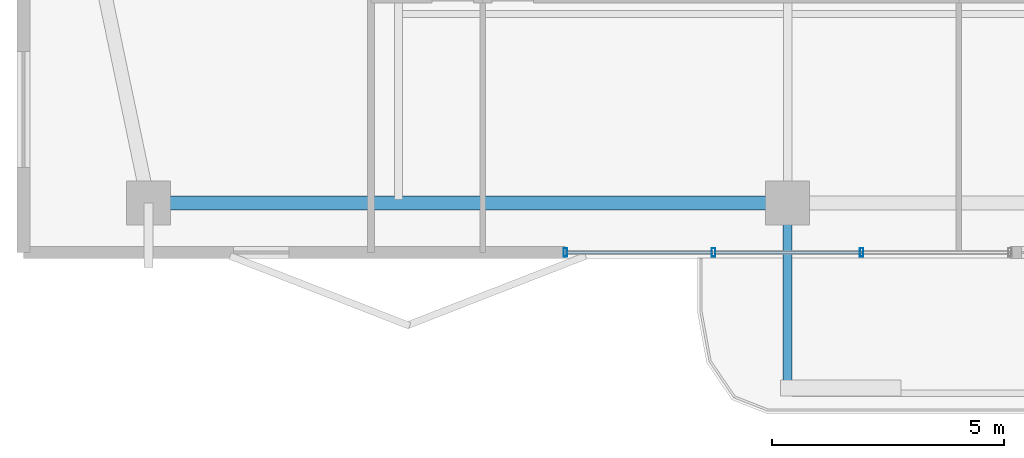
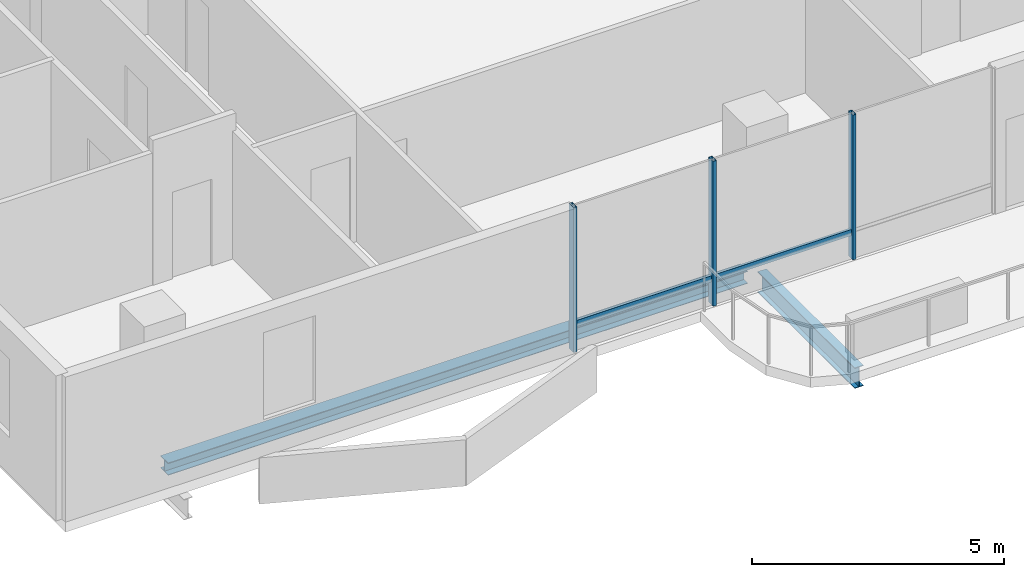
# One storey, part 2 of 18: 5 members, 2 beams, 1 element without a shape of its own.
"""IFC4 building model written with IfcOpenShell, lengths in metres."""

from ifc_helpers import new_model, si_unit, direction, frame, origin, origin_2d, place, context, subcontext, project, spatial, hollow_rectangle, i_section, extrude, material, layer, layer_set, material_profile, profile_set, type_object, element, aggregate, save


model = new_model("IFC4")

# Units and contexts
model_context = context("Model", 3, precision=1e-05, world=origin(), true_north=direction((0.0, 1.0)))
body_context = subcontext(model_context, "Body", "Model", "MODEL_VIEW")
ifc_project = project(units=[si_unit("LENGTHUNIT", "METRE"), si_unit("AREAUNIT", "SQUARE_METRE"), si_unit("VOLUMEUNIT", "CUBIC_METRE"), si_unit("PLANEANGLEUNIT", "RADIAN"), si_unit("MASSUNIT", "GRAM", prefix="KILO")], contexts=[model_context])

# Site, building, storey
site_placement = place(None, origin())
site = spatial("IfcSite", under=ifc_project, at=site_placement, CompositionType="ELEMENT")
building_placement = place(site_placement, origin())
building = spatial("IfcBuilding", under=site, at=building_placement, Name="Belovzor Exchange Tower", CompositionType="ELEMENT")
storey_placement = place(building_placement, frame((0.0, 0.0, 310.5)))
storey = spatial("IfcBuildingStorey", under=building, at=storey_placement, Name="L77", CompositionType="ELEMENT", Elevation=310.5)

# Beam
ifc_material_1 = material(Name="Steel S355", Category="steel")
ifc_material_profile_1 = material_profile(ifc_material_1, i_section(OverallWidth=0.199951171875, OverallDepth=0.5, WebThickness=0.01025390625, FlangeThickness=0.01611328125, at=origin_2d()))
ifc_profile_set_1 = profile_set([ifc_material_profile_1], Name="Steel S355")
beam_type_1 = type_object("IfcBeamType", Name="Planted Balcony Cantilever Beam IPE 500", PredefinedType="BEAM", material=ifc_profile_set_1)
beam_1_placement = place(storey_placement, frame((28.800048828125, 6.93896484375, -0.489990234375), z_axis=(0.0, -1.0, 0.0), x_axis=(1.0, 0.0, 0.0)))
element("IfcBeam", 1, at=beam_1_placement, inside=storey, type_object=beam_type_1, Name="BC-500 Planted Balcony Cantilever Beam IPE 500", PredefinedType="BEAM", context=body_context, shape_type="SweptSolid", body=[
    extrude(i_section(OverallWidth=0.199951171875, OverallDepth=0.5, WebThickness=0.01025390625, FlangeThickness=0.01611328125, at=origin_2d()), origin(), (0.0, 0.0, 1.0), 3.849853515625),
])

# Curtain wall, members
ifc_material_2 = material(Name="Anodised Aluminium Framing", Category="aluminium")
ifc_layer = layer(ifc_material_2, 0.179931640625)
ifc_layer_set = layer_set([ifc_layer], Name="Anodised Aluminium Framing")
curtain_wall_type = type_object("IfcCurtainWallType", Name="Recessed Loggia Low-Iron Triple-Glazed Curtain Wall", PredefinedType="NOTDEFINED", material=ifc_layer_set)
curtain_wall_placement = place(storey_placement, origin())
curtain_wall = element("IfcCurtainWall", 2, at=curtain_wall_placement, inside=storey, type_object=curtain_wall_type, Name="CW3 Recessed Loggia Low-Iron Triple-Glazed Curtain Wall L77", PredefinedType="NOTDEFINED")
ifc_material_3 = material(Name="Steel S355", Category="steel")
ifc_material_profile_2 = material_profile(ifc_material_3, hollow_rectangle(XDim=0.074951171875, YDim=0.179931640625, WallThickness=0.0048828125, at=origin_2d()))
ifc_profile_set_2 = profile_set([ifc_material_profile_2], Name="Steel S355")
member_type_1 = type_object("IfcMemberType", Name="Thermally Broken Curtain Wall Mullion 180x75", PredefinedType="MULLION", material=ifc_profile_set_2)
member_1_placement = place(storey_placement, frame((30.39990234375, 6.1298828125, 0.0), z_axis=(0.0, 0.0, 1.0), x_axis=(-1.0, 0.0, 0.0)))
member_1 = element("IfcMember", 3, at=member_1_placement, type_object=member_type_1, Name="CW-M180 Curtain Wall Mullion 2", PredefinedType="MULLION", context=body_context, shape_type="SweptSolid", body=[
    extrude(hollow_rectangle(XDim=0.074951171875, YDim=0.179931640625, WallThickness=0.0048828125, at=origin_2d()), origin(), (0.0, 0.0, 1.0), 3.510009765625),
])
member_2_placement = place(storey_placement, frame((27.199951171875, 6.1298828125, 0.0), z_axis=(0.0, 0.0, 1.0), x_axis=(-1.0, 0.0, 0.0)))
member_2 = element("IfcMember", 4, at=member_2_placement, type_object=member_type_1, Name="CW-M180 Curtain Wall Mullion 3", PredefinedType="MULLION", context=body_context, shape_type="SweptSolid", body=[
    extrude(hollow_rectangle(XDim=0.074951171875, YDim=0.179931640625, WallThickness=0.0048828125, at=origin_2d()), origin(), (0.0, 0.0, 1.0), 3.510009765625),
])
member_3_placement = place(storey_placement, frame((24.0, 6.1298828125, 0.0), z_axis=(0.0, 0.0, 1.0), x_axis=(-1.0, 0.0, 0.0)))
member_3 = element("IfcMember", 5, at=member_3_placement, type_object=member_type_1, Name="CW-M180 Curtain Wall Mullion 4", PredefinedType="MULLION", context=body_context, shape_type="SweptSolid", body=[
    extrude(hollow_rectangle(XDim=0.074951171875, YDim=0.179931640625, WallThickness=0.0048828125, at=origin_2d()), origin(), (0.0, 0.0, 1.0), 3.510009765625),
])
ifc_material_4 = material(Name="Steel S355", Category="steel")
ifc_material_profile_3 = material_profile(ifc_material_4, hollow_rectangle(XDim=0.06005859375, YDim=0.14990234375, WallThickness=0.00390625, at=origin_2d()))
ifc_profile_set_3 = profile_set([ifc_material_profile_3], Name="Steel S355")
member_type_2 = type_object("IfcMemberType", Name="Thermally Broken Curtain Wall Transom 150x60", PredefinedType="USERDEFINED", material=ifc_profile_set_3)
member_4_placement = place(storey_placement, frame((30.39208984375, 6.1298828125, 0.632080078125), z_axis=(-1.0, 0.0, 0.0), x_axis=(0.0, -1.0, 0.0)))
member_4 = element("IfcMember", 6, at=member_4_placement, type_object=member_type_2, Name="CW-T150 Curtain Wall Transom 2", ObjectType="TRANSOM", PredefinedType="USERDEFINED", context=body_context, shape_type="SweptSolid", body=[
    extrude(hollow_rectangle(XDim=0.06005859375, YDim=0.14990234375, WallThickness=0.00390625, at=origin_2d()), origin(), (0.0, 0.0, 1.0), 3.18408203125),
])
member_5_placement = place(storey_placement, frame((27.19189453125, 6.1298828125, 0.632080078125), z_axis=(-1.0, 0.0, 0.0), x_axis=(0.0, -1.0, 0.0)))
member_5 = element("IfcMember", 7, at=member_5_placement, type_object=member_type_2, Name="CW-T150 Curtain Wall Transom 3", ObjectType="TRANSOM", PredefinedType="USERDEFINED", context=body_context, shape_type="SweptSolid", body=[
    extrude(hollow_rectangle(XDim=0.06005859375, YDim=0.14990234375, WallThickness=0.00390625, at=origin_2d()), origin(), (0.0, 0.0, 1.0), 3.183837890625),
])
aggregate(curtain_wall, [member_1, member_2, member_3, member_4, member_5])

# Beam
ifc_material_5 = material(Name="Steel S355", Category="steel")
ifc_material_profile_4 = material_profile(ifc_material_5, i_section(OverallWidth=0.300048828125, OverallDepth=0.300048828125, WebThickness=0.008544921875, FlangeThickness=0.013916015625, at=origin_2d()))
ifc_profile_set_4 = profile_set([ifc_material_profile_4], Name="Steel S355")
beam_type_2 = type_object("IfcBeamType", Name="Zone 6 Primary Girder HEA 300", PredefinedType="BEAM", material=ifc_profile_set_4)
beam_2_placement = place(storey_placement, frame((15.260986328125, 7.199951171875, -0.389892578125), z_axis=(1.0, 0.0, 0.0), x_axis=(0.0, 1.0, 0.0)))
element("IfcBeam", 8, at=beam_2_placement, inside=storey, type_object=beam_type_2, Name="FG-Z6 Zone 6 Primary Girder HEA 300", PredefinedType="BEAM", context=body_context, shape_type="SweptSolid", body=[
    extrude(i_section(OverallWidth=0.300048828125, OverallDepth=0.300048828125, WebThickness=0.008544921875, FlangeThickness=0.013916015625, at=origin_2d()), origin(), (0.0, 0.0, 1.0), 13.278076171875),
])

save(model, "model.ifc")
